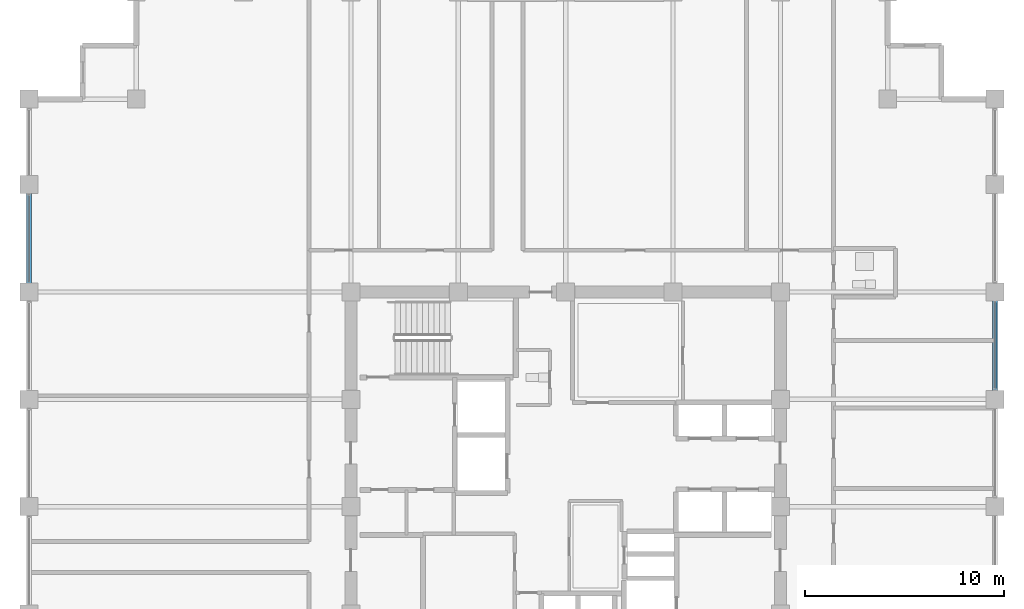
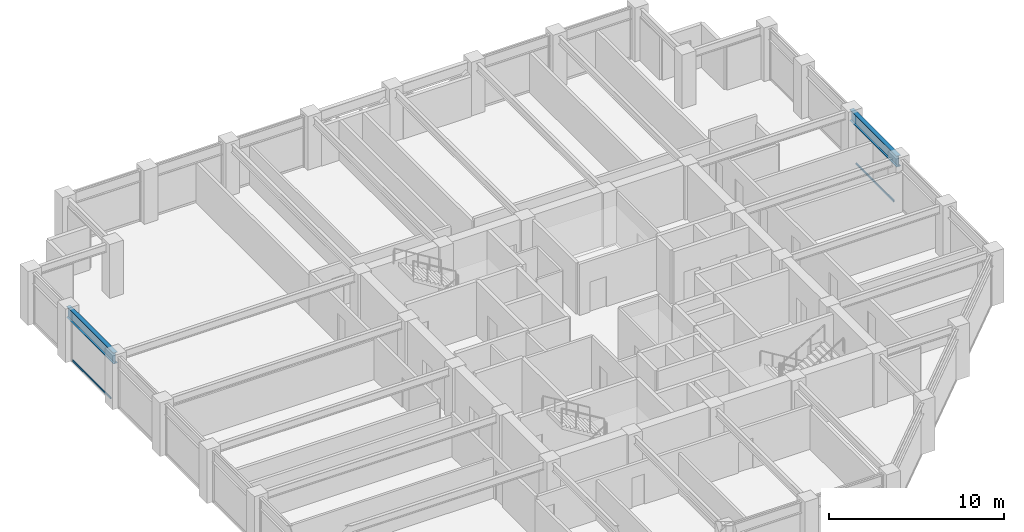
# One storey, part 15 of 32: 2 beams, 2 members, 2 elements without a shape of their own.
"""IFC4 building model written with IfcOpenShell, lengths in metres."""

from ifc_helpers import new_model, si_unit, direction, frame, origin, origin_2d, place, context, subcontext, project, spatial, hollow_rectangle, i_section, extrude, material, layer, layer_set, material_profile, profile_set, type_object, element, aggregate, save


model = new_model("IFC4")

# Units and contexts
model_context = context("Model", 3, precision=1e-05, world=origin(), true_north=direction((0.0, 1.0)))
body_context = subcontext(model_context, "Body", "Model", "MODEL_VIEW")
ifc_project = project(units=[si_unit("LENGTHUNIT", "METRE"), si_unit("AREAUNIT", "SQUARE_METRE"), si_unit("VOLUMEUNIT", "CUBIC_METRE"), si_unit("PLANEANGLEUNIT", "RADIAN"), si_unit("MASSUNIT", "GRAM", prefix="KILO")], contexts=[model_context])

# Site, building, storey
site_placement = place(None, origin())
site = spatial("IfcSite", under=ifc_project, at=site_placement, CompositionType="ELEMENT")
building_placement = place(site_placement, origin())
building = spatial("IfcBuilding", under=site, at=building_placement, Name="Surkhivell Harbour Commons", CompositionType="ELEMENT")
storey_placement = place(building_placement, frame((0.0, 0.0, 212.25)))
storey = spatial("IfcBuildingStorey", under=building, at=storey_placement, Name="L55", CompositionType="ELEMENT", Elevation=212.25)

# Beams
ifc_material_1 = material(Name="Steel S355", Category="steel")
ifc_material_profile_1 = material_profile(ifc_material_1, i_section(OverallWidth=0.26806640625, OverallDepth=0.77001953125, WebThickness=0.015625, FlangeThickness=0.025390625, at=origin_2d()), Name="UB762x267x197")
ifc_profile_set_1 = profile_set([ifc_material_profile_1], Name="Steel S355")
beam_type = type_object("IfcBeamType", Name="BM-SPN-762", PredefinedType="SPANDREL", material=ifc_profile_set_1)
beam_1_placement = place(storey_placement, frame((-27.0, 10.800048828125, 3.18505859375), z_axis=(0.0, 1.0, 0.0), x_axis=(-1.0, 0.0, 0.0)))
element("IfcBeam", 1, at=beam_1_placement, inside=storey, type_object=beam_type, Name="L55 Tube Spandrel (-27.0,10.8)", PredefinedType="SPANDREL", context=body_context, shape_type="SweptSolid", body=[
    extrude(i_section(OverallWidth=0.26806640625, OverallDepth=0.77001953125, WebThickness=0.015625, FlangeThickness=0.025390625, at=origin_2d()), origin(), (0.0, 0.0, 1.0), 5.39990234375),
])
beam_2_placement = place(storey_placement, frame((21.60009765625, 5.39990234375, 3.18505859375), z_axis=(0.0, 1.0, 0.0), x_axis=(-1.0, 0.0, 0.0)))
element("IfcBeam", 2, at=beam_2_placement, inside=storey, type_object=beam_type, Name="L55 Tube Spandrel (21.6,5.4)", PredefinedType="SPANDREL", context=body_context, shape_type="SweptSolid", body=[
    extrude(i_section(OverallWidth=0.26806640625, OverallDepth=0.77001953125, WebThickness=0.015625, FlangeThickness=0.025390625, at=origin_2d()), origin(), (0.0, 0.0, 1.0), 5.400146484375),
])

# Curtain wall, member
ifc_material_2 = material(Name="Anodised pale-metal aluminium and insulated glazing", Category="aluminium")
ifc_layer = layer(ifc_material_2, 0.18994140625)
ifc_layer_set = layer_set([ifc_layer], Name="Anodised pale-metal aluminium and insulated glazing")
curtain_wall_type = type_object("IfcCurtainWallType", Name="CW-SYS-Z3", PredefinedType="NOTDEFINED", material=ifc_layer_set)
curtain_wall_1_placement = place(storey_placement, origin())
curtain_wall_1 = element("IfcCurtainWall", 3, at=curtain_wall_1_placement, inside=storey, type_object=curtain_wall_type, Name="L55 Curtain Wall CW-L55-E02", PredefinedType="NOTDEFINED")
ifc_material_3 = material(Name="Champagne anodised aluminium alloy 6063-T6", Category="aluminium")
ifc_material_profile_2 = material_profile(ifc_material_3, hollow_rectangle(XDim=0.070068359375, YDim=0.1298828125, WallThickness=0.00341796875, at=origin_2d()), Name="ALU-TRAN-70x130")
ifc_profile_set_2 = profile_set([ifc_material_profile_2], Name="Champagne anodised aluminium alloy 6063-T6")
member_type = type_object("IfcMemberType", Name="CWT-130", PredefinedType="USERDEFINED", material=ifc_profile_set_2)
member_1_placement = place(storey_placement, frame((21.60009765625, 5.927001953125, 0.06494140625), z_axis=(0.0, 1.0, 0.0), x_axis=(-1.0, 0.0, 0.0)))
member_1 = element("IfcMember", 4, at=member_1_placement, type_object=member_type, Name="CW-Z3 transom 3.1", ObjectType="TRANSOM", PredefinedType="USERDEFINED", context=body_context, shape_type="SweptSolid", body=[
    extrude(hollow_rectangle(XDim=0.070068359375, YDim=0.1298828125, WallThickness=0.00341796875, at=origin_2d()), origin(), (0.0, 0.0, 1.0), 4.345947265625),
])
aggregate(curtain_wall_1, [member_1])

curtain_wall_2_placement = place(storey_placement, origin())
curtain_wall_2 = element("IfcCurtainWall", 5, at=curtain_wall_2_placement, inside=storey, type_object=curtain_wall_type, Name="L55 Curtain Wall CW-L55-E12S1", PredefinedType="NOTDEFINED")
member_2_placement = place(storey_placement, frame((-27.0, 15.673095703125, 0.06494140625), z_axis=(0.0, -1.0, 0.0), x_axis=(1.0, 0.0, 0.0)))
member_2 = element("IfcMember", 6, at=member_2_placement, type_object=member_type, Name="CW-Z3 transom 2.1", ObjectType="TRANSOM", PredefinedType="USERDEFINED", context=body_context, shape_type="SweptSolid", body=[
    extrude(hollow_rectangle(XDim=0.070068359375, YDim=0.1298828125, WallThickness=0.00341796875, at=origin_2d()), origin(), (0.0, 0.0, 1.0), 4.34619140625),
])
aggregate(curtain_wall_2, [member_2])

save(model, "model.ifc")
